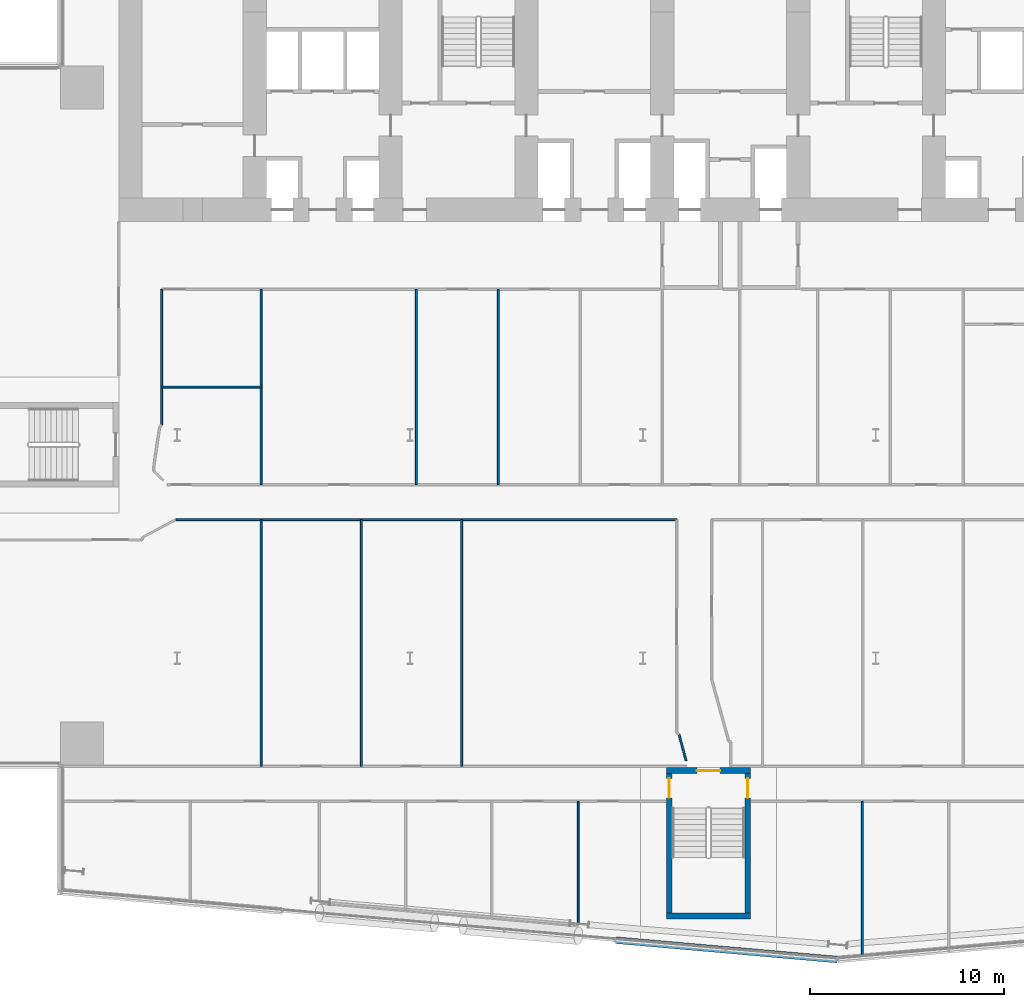
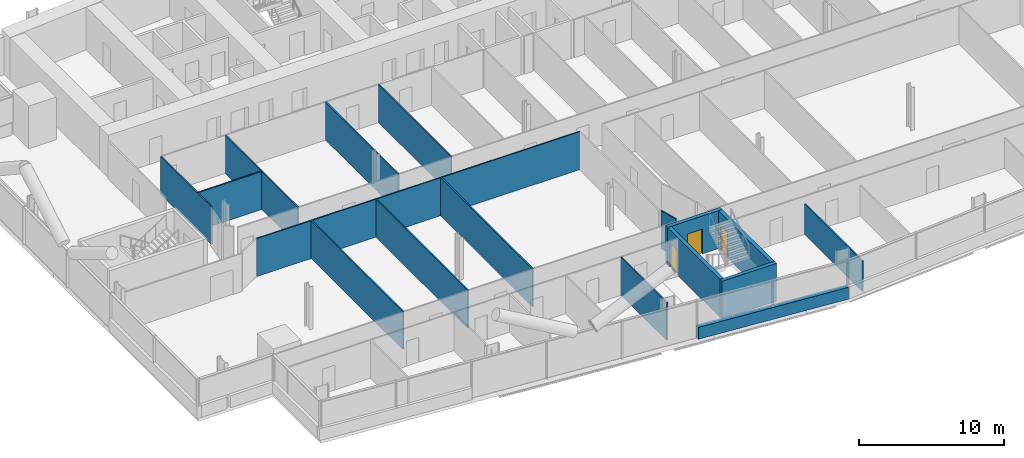
# One storey, part 14 of 27: 17 walls, 3 doors, 3 openings.
"""IFC4 building model written with IfcOpenShell, lengths in metres."""

from ifc_helpers import new_model, si_unit, direction, frame, frame_2d, origin, place, context, subcontext, project, spatial, rectangle, extrude, material, layer, layer_set, type_object, element, fill, save


model = new_model("IFC4")

# Units and contexts
model_context = context("Model", 3, precision=1e-05, world=origin(), true_north=direction((0.0, 1.0)))
body_context = subcontext(model_context, "Body", "Model", "MODEL_VIEW")
ifc_project = project(units=[si_unit("LENGTHUNIT", "METRE"), si_unit("AREAUNIT", "SQUARE_METRE"), si_unit("VOLUMEUNIT", "CUBIC_METRE"), si_unit("PLANEANGLEUNIT", "RADIAN"), si_unit("MASSUNIT", "GRAM", prefix="KILO")], contexts=[model_context])

# Site, building, storey
site_placement = place(None, origin())
site = spatial("IfcSite", under=ifc_project, at=site_placement, CompositionType="ELEMENT")
building_placement = place(site_placement, origin())
building = spatial("IfcBuilding", under=site, at=building_placement, Name="Wharfspan Tower", CompositionType="ELEMENT")
storey_placement = place(building_placement, frame((0.0, 0.0, 55.899902)))
storey = spatial("IfcBuildingStorey", under=building, at=storey_placement, Name="L10", CompositionType="ELEMENT", Elevation=55.899902)

# Walls
ifc_material_1 = material(Name="Gypsum board on steel studs", Category="steel")
ifc_layer_1 = layer(ifc_material_1, 0.100098)
ifc_layer_set_1 = layer_set([ifc_layer_1], Name="Gypsum board on steel studs")
wall_type_1 = type_object("IfcWallType", Name="Compartment wall 100 EI 60", PredefinedType="PARTITIONING", material=ifc_layer_set_1)
wall_1_placement = place(storey_placement, frame((11.199951, 23.514893, 0.0), z_axis=(0.0, 0.0, 1.0), x_axis=(0.0, 1.0, 0.0)))
element("IfcWall", 1, at=wall_1_placement, inside=storey, type_object=wall_type_1, Name="Partition L10.w013", PredefinedType="PARTITIONING", context=body_context, shape_type="SweptSolid", body=[
    extrude(rectangle(XDim=6.985107, YDim=0.100098, at=frame_2d((3.492676, 0.0))), origin(), (0.0, 0.0, 1.0), 3.200195),
])
wall_2_placement = place(storey_placement, frame((11.199951, 25.469971, 0.0), z_axis=(0.0, 0.0, 1.0), x_axis=(1.0, 0.0, 0.0)))
element("IfcWall", 2, at=wall_2_placement, inside=storey, type_object=wall_type_1, Name="Partition L10.w014", PredefinedType="PARTITIONING", context=body_context, shape_type="SweptSolid", body=[
    extrude(rectangle(XDim=5.13501, YDim=0.100098, at=frame_2d((2.567383, 0.0))), origin(), (0.0, 0.0, 1.0), 3.200195),
])
wall_3_placement = place(storey_placement, frame((11.935059, 18.639893, 0.0), z_axis=(0.0, 0.0, 1.0), x_axis=(1.0, 0.0, 0.0)))
element("IfcWall", 3, at=wall_3_placement, inside=storey, type_object=wall_type_1, Name="Partition L10.w018", PredefinedType="PARTITIONING", context=body_context, shape_type="SweptSolid", body=[
    extrude(rectangle(XDim=25.810059, YDim=0.100098, at=frame_2d((12.905029, 0.0))), origin(), (0.0, 0.0, 1.0), 3.200195),
])
wall_4_placement = place(storey_placement, frame((16.334961, 5.925049, 0.0), z_axis=(0.0, 0.0, 1.0), x_axis=(0.0, 1.0, 0.0)))
element("IfcWall", 4, at=wall_4_placement, inside=storey, type_object=wall_type_1, Name="Partition L10.w020", PredefinedType="PARTITIONING", context=body_context, shape_type="SweptSolid", body=[
    extrude(rectangle(XDim=12.714844, YDim=0.100098, at=frame_2d((6.357422, 0.0))), origin(), (0.0, 0.0, 1.0), 3.200195),
])
wall_5_placement = place(storey_placement, frame((16.334961, 20.445068, 0.0), z_axis=(0.0, 0.0, 1.0), x_axis=(0.0, 1.0, 0.0)))
element("IfcWall", 5, at=wall_5_placement, inside=storey, type_object=wall_type_1, Name="Partition L10.w021", PredefinedType="PARTITIONING", context=body_context, shape_type="SweptSolid", body=[
    extrude(rectangle(XDim=10.054932, YDim=0.100098, at=frame_2d((5.027344, 0.0))), origin(), (0.0, 0.0, 1.0), 3.200195),
])
wall_6_placement = place(storey_placement, frame((21.5, 5.925049, 0.0), z_axis=(0.0, 0.0, 1.0), x_axis=(0.0, 1.0, 0.0)))
element("IfcWall", 6, at=wall_6_placement, inside=storey, type_object=wall_type_1, Name="Partition L10.w023", PredefinedType="PARTITIONING", context=body_context, shape_type="SweptSolid", body=[
    extrude(rectangle(XDim=12.714844, YDim=0.100098, at=frame_2d((6.357422, 0.0))), origin(), (0.0, 0.0, 1.0), 3.200195),
])
wall_7_placement = place(storey_placement, frame((24.334961, 20.445068, 0.0), z_axis=(0.0, 0.0, 1.0), x_axis=(0.0, 1.0, 0.0)))
element("IfcWall", 7, at=wall_7_placement, inside=storey, type_object=wall_type_1, Name="Partition L10.w025", PredefinedType="PARTITIONING", context=body_context, shape_type="SweptSolid", body=[
    extrude(rectangle(XDim=10.054932, YDim=0.100098, at=frame_2d((5.027344, 0.0))), origin(), (0.0, 0.0, 1.0), 3.200195),
])
wall_8_placement = place(storey_placement, frame((26.665039, 5.925049, 0.0), z_axis=(0.0, 0.0, 1.0), x_axis=(0.0, 1.0, 0.0)))
element("IfcWall", 8, at=wall_8_placement, inside=storey, type_object=wall_type_1, Name="Partition L10.w026", PredefinedType="PARTITIONING", context=body_context, shape_type="SweptSolid", body=[
    extrude(rectangle(XDim=12.714844, YDim=0.100098, at=frame_2d((6.357422, 0.0))), origin(), (0.0, 0.0, 1.0), 3.200195),
])
wall_9_placement = place(storey_placement, frame((28.554932, 20.445068, 0.0), z_axis=(0.0, 0.0, 1.0), x_axis=(0.0, 1.0, 0.0)))
element("IfcWall", 9, at=wall_9_placement, inside=storey, type_object=wall_type_1, Name="Partition L10.w029", PredefinedType="PARTITIONING", context=body_context, shape_type="SweptSolid", body=[
    extrude(rectangle(XDim=10.054932, YDim=0.100098, at=frame_2d((5.027344, 0.0))), origin(), (0.0, 0.0, 1.0), 3.200195),
])
wall_10_placement = place(storey_placement, frame((32.669922, -2.225098, 0.0), z_axis=(0.0, 0.0, 1.0), x_axis=(0.0, 1.0, 0.0)))
element("IfcWall", 10, at=wall_10_placement, inside=storey, type_object=wall_type_1, Name="Partition L10.w031", PredefinedType="PARTITIONING", context=body_context, shape_type="SweptSolid", body=[
    extrude(rectangle(XDim=6.345215, YDim=0.100098, at=frame_2d((3.172607, 0.0))), origin(), (0.0, 0.0, 1.0), 3.200195),
])
wall_11_placement = place(storey_placement, frame((38.22998, 6.215088, 0.0), z_axis=(0.0, 0.0, 1.0), x_axis=(-0.260099, 0.965585, 0.0)))
element("IfcWall", 11, at=wall_11_placement, inside=storey, type_object=wall_type_1, Name="Partition L10.w036", PredefinedType="PARTITIONING", context=body_context, shape_type="SweptSolid", body=[
    extrude(rectangle(XDim=1.40332, YDim=0.100098, at=frame_2d((0.70166, 0.0))), origin(), (0.0, 0.0, 1.0), 3.200195),
])
wall_12_placement = place(storey_placement, frame((47.314941, -3.889404, 0.0), z_axis=(0.0, 0.0, 1.0), x_axis=(0.0, 1.0, 0.0)))
element("IfcWall", 12, at=wall_12_placement, inside=storey, type_object=wall_type_1, Name="Partition L10.w047", PredefinedType="PARTITIONING", context=body_context, shape_type="SweptSolid", body=[
    extrude(rectangle(XDim=8.009521, YDim=0.100098, at=frame_2d((4.004883, 0.0))), origin(), (0.0, 0.0, 1.0), 2.580078),
])
ifc_material_2 = material(Name="Concrete C40/50", Category="concrete")
ifc_layer_2 = layer(ifc_material_2, 0.350098)
ifc_layer_set_2 = layer_set([ifc_layer_2], Name="Concrete C40/50")
wall_type_2 = type_object("IfcWallType", Name="SPANDREL EXPOSED CONCRETE 350", PredefinedType="SOLIDWALL", material=ifc_layer_set_2)
wall_13_placement = place(storey_placement, frame((34.60083, -3.032227, 0.0), z_axis=(0.0, 0.0, 1.0), x_axis=(0.996193, -0.087148, 0.0)))
element("IfcWall", 13, at=wall_13_placement, inside=storey, type_object=wall_type_2, Name="Spandrel upstand L10 S1 2", PredefinedType="SOLIDWALL", context=body_context, shape_type="SweptSolid", body=[
    extrude(rectangle(XDim=11.458008, YDim=0.350098, at=frame_2d((5.729004, 0.0))), origin(), (0.0, 0.0, 1.0), 1.0),
])

# Wall, opening, door
ifc_layer_3 = layer(ifc_material_2, 0.300049)
ifc_layer_set_3 = layer_set([ifc_layer_3], Name="Concrete C40/50")
wall_type_3 = type_object("IfcWallType", Name="Stair core wall 300", PredefinedType="SHEAR", material=ifc_layer_set_3)
wall_14_placement = place(storey_placement, frame((37.208252, 5.710693, 0.0), z_axis=(0.0, 0.0, 1.0), x_axis=(1.0, 0.0, 0.0)))
wall_14 = element("IfcWall", 14, at=wall_14_placement, inside=storey, type_object=wall_type_3, Name="ST4 stair enclosure wall L10", PredefinedType="SHEAR", context=body_context, shape_type="SweptSolid", body=[
    extrude(rectangle(XDim=4.350098, YDim=0.300049, at=frame_2d((2.175049, 0.0))), origin(), (0.0, 0.0, 1.0), 3.200195),
])
opening_1_placement = place(wall_14_placement, frame((1.574951, 0.0, 0.0)))
opening_1 = element("IfcOpeningElement", 15, at=opening_1_placement, cuts=wall_14, Name="Opening SD4.L10", PredefinedType="OPENING", context=body_context, shape_type="SweptSolid", body=[
    extrude(rectangle(XDim=1.199951, YDim=2.100098, at=frame_2d((0.600098, 1.050049))), frame((0.0, 0.159912, 0.0), z_axis=(0.0, -1.0, 0.0), x_axis=(1.0, 0.0, 0.0)), (0.0, 0.0, 1.0), 0.320068),
])
ifc_material_3 = material(Name="Steel door leaf", Category="steel")
door_type_1 = type_object("IfcDoorType", Name="Stair door 1200x2100", OperationType="SINGLE_SWING_LEFT", PredefinedType="DOOR", material=ifc_material_3)
door_1_placement = place(opening_1_placement, origin())
door_1 = element("IfcDoor", 16, at=door_1_placement, inside=storey, type_object=door_type_1, Name="sd:L10:ST4z1", OperationType="SINGLE_SWING_RIGHT", OverallHeight=2.100098, OverallWidth=1.199951, PredefinedType="DOOR", context=body_context, shape_type="SweptSolid", body=[
    extrude(rectangle(XDim=1.199951, YDim=2.100098, at=frame_2d((0.600098, 1.050049))), frame((0.0, 0.024902, 0.0), z_axis=(0.0, -1.0, 0.0), x_axis=(1.0, 0.0, 0.0)), (0.0, 0.0, 1.0), 0.050049),
])
fill(opening_1, door_1)

wall_15_placement = place(storey_placement, frame((37.358398, -1.639404, 0.0), z_axis=(0.0, 0.0, 1.0), x_axis=(0.0, 1.0, 0.0)))
wall_15 = element("IfcWall", 17, at=wall_15_placement, inside=storey, type_object=wall_type_3, Name="ST4 stair enclosure wall L10", PredefinedType="SHEAR", context=body_context, shape_type="SweptSolid", body=[
    extrude(rectangle(XDim=7.199951, YDim=0.300049, at=frame_2d((3.600098, 0.0))), origin(), (0.0, 0.0, 1.0), 3.200195),
])
opening_2_placement = place(wall_15_placement, frame((5.94458, 0.0, 0.0)))
opening_2 = element("IfcOpeningElement", 18, at=opening_2_placement, cuts=wall_15, Name="Opening SS4W.L10", PredefinedType="OPENING", context=body_context, shape_type="SweptSolid", body=[
    extrude(rectangle(XDim=1.0, YDim=2.100098, at=frame_2d((0.5, 1.050049))), frame((0.0, 0.159912, 0.0), z_axis=(0.0, -1.0, 0.0), x_axis=(1.0, 0.0, 0.0)), (0.0, 0.0, 1.0), 0.320068),
])
door_type_2 = type_object("IfcDoorType", Name="Stair side door 1000x2100", OperationType="SINGLE_SWING_LEFT", PredefinedType="DOOR", material=ifc_material_3)
door_2_placement = place(opening_2_placement, origin())
door_2 = element("IfcDoor", 19, at=door_2_placement, inside=storey, type_object=door_type_2, Name="Stair side door", OperationType="SINGLE_SWING_LEFT", OverallHeight=2.100098, OverallWidth=1.0, PredefinedType="DOOR", context=body_context, shape_type="SweptSolid", body=[
    extrude(rectangle(XDim=1.0, YDim=2.100098, at=frame_2d((0.5, 1.050049))), frame((0.0, 0.024902, 0.0), z_axis=(0.0, -1.0, 0.0), x_axis=(1.0, 0.0, 0.0)), (0.0, 0.0, 1.0), 0.050049),
])
fill(opening_2, door_2)

wall_16_placement = place(storey_placement, frame((41.408203, -1.639404, 0.0), z_axis=(0.0, 0.0, 1.0), x_axis=(0.0, 1.0, 0.0)))
wall_16 = element("IfcWall", 20, at=wall_16_placement, inside=storey, type_object=wall_type_3, Name="ST4 stair enclosure wall L10", PredefinedType="SHEAR", context=body_context, shape_type="SweptSolid", body=[
    extrude(rectangle(XDim=7.199951, YDim=0.300049, at=frame_2d((3.600098, 0.0))), origin(), (0.0, 0.0, 1.0), 3.200195),
])
opening_3_placement = place(wall_16_placement, frame((5.94458, 0.0, 0.0)))
opening_3 = element("IfcOpeningElement", 21, at=opening_3_placement, cuts=wall_16, Name="Opening SS4E.L10", PredefinedType="OPENING", context=body_context, shape_type="SweptSolid", body=[
    extrude(rectangle(XDim=1.0, YDim=2.100098, at=frame_2d((0.5, 1.050049))), frame((0.0, 0.159912, 0.0), z_axis=(0.0, -1.0, 0.0), x_axis=(1.0, 0.0, 0.0)), (0.0, 0.0, 1.0), 0.320068),
])
door_3_placement = place(opening_3_placement, origin())
door_3 = element("IfcDoor", 22, at=door_3_placement, inside=storey, type_object=door_type_2, Name="Stair side door", OperationType="SINGLE_SWING_LEFT", OverallHeight=2.100098, OverallWidth=1.0, PredefinedType="DOOR", context=body_context, shape_type="SweptSolid", body=[
    extrude(rectangle(XDim=1.0, YDim=2.100098, at=frame_2d((0.5, 1.050049))), frame((0.0, 0.024902, 0.0), z_axis=(0.0, -1.0, 0.0), x_axis=(1.0, 0.0, 0.0)), (0.0, 0.0, 1.0), 0.050049),
])
fill(opening_3, door_3)

# Wall
wall_17_placement = place(storey_placement, frame((37.208252, -1.789307, 0.0), z_axis=(0.0, 0.0, 1.0), x_axis=(1.0, 0.0, 0.0)))
element("IfcWall", 23, at=wall_17_placement, inside=storey, type_object=wall_type_3, Name="ST4 stair enclosure wall L10", PredefinedType="SHEAR", context=body_context, shape_type="SweptSolid", body=[
    extrude(rectangle(XDim=4.350098, YDim=0.300049, at=frame_2d((2.175049, 0.0))), origin(), (0.0, 0.0, 1.0), 3.200195),
])

save(model, "model.ifc")
